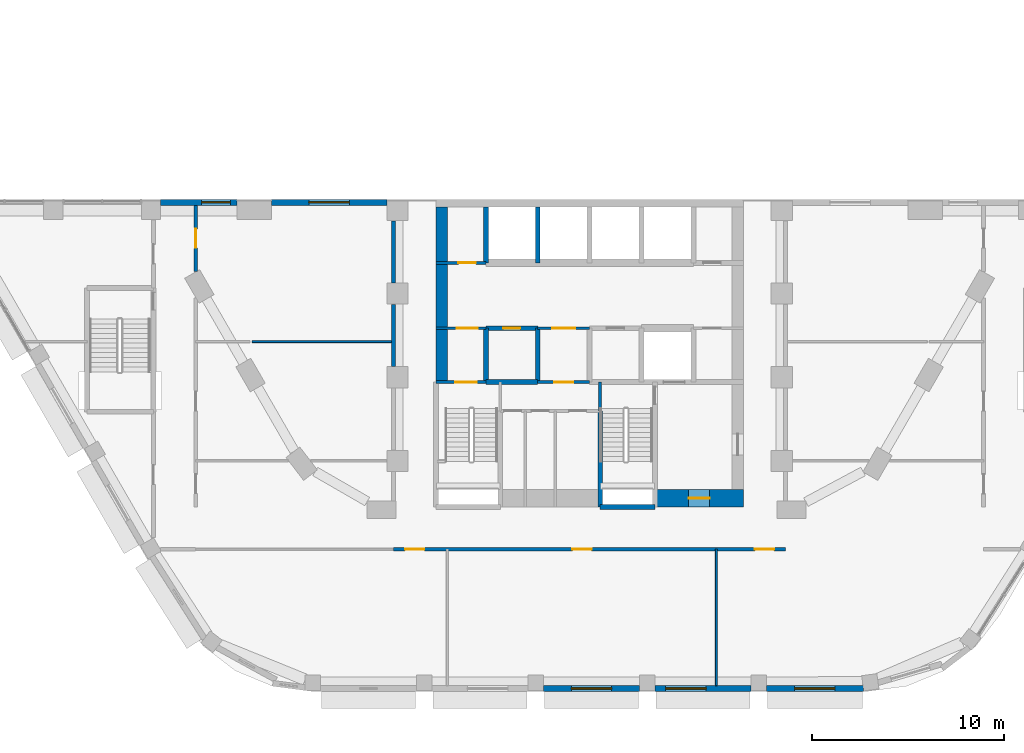
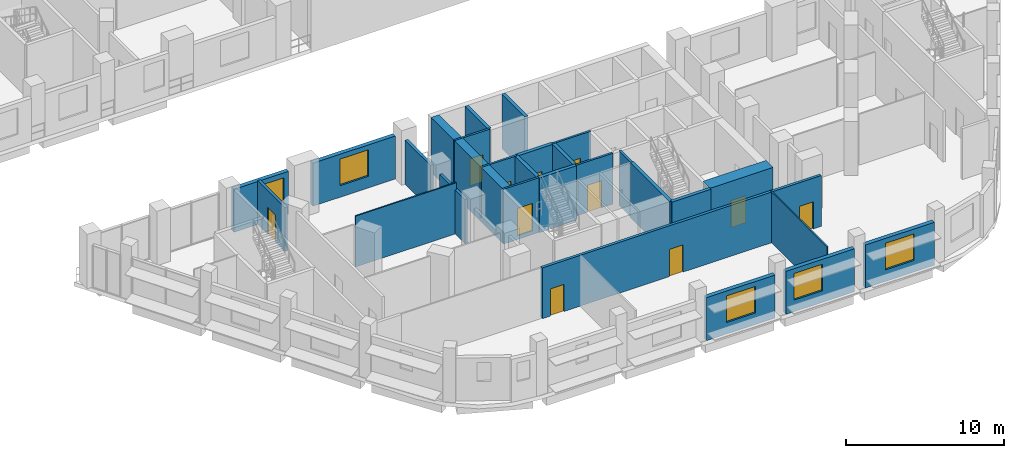
# One storey, part 11 of 22: 27 walls, 11 doors, 5 windows, 16 openings.
"""IFC4 building model written with IfcOpenShell, lengths in metres."""

from ifc_helpers import new_model, si_unit, direction, frame, frame_2d, origin, place, context, subcontext, project, spatial, rectangle, extrude, material, layer, layer_set, type_object, element, fill, save


model = new_model("IFC4")

# Units and contexts
model_context = context("Model", 3, precision=1e-05, world=origin(), true_north=direction((0.0, 1.0)))
body_context = subcontext(model_context, "Body", "Model", "MODEL_VIEW")
ifc_project = project(units=[si_unit("LENGTHUNIT", "METRE"), si_unit("AREAUNIT", "SQUARE_METRE"), si_unit("VOLUMEUNIT", "CUBIC_METRE"), si_unit("PLANEANGLEUNIT", "RADIAN"), si_unit("MASSUNIT", "GRAM", prefix="KILO")], contexts=[model_context])

# Site, building, storey
site_placement = place(None, origin())
site = spatial("IfcSite", under=ifc_project, at=site_placement, CompositionType="ELEMENT")
building_placement = place(site_placement, origin())
building = spatial("IfcBuilding", under=site, at=building_placement, Name="Nakaniwa Court", CompositionType="ELEMENT")
storey_placement = place(building_placement, frame((0.0, 0.0, 24.0)))
storey = spatial("IfcBuildingStorey", under=building, at=storey_placement, Name="L05", CompositionType="ELEMENT", Elevation=24.0)

# Wall, opening, door
ifc_material_1 = material(Name="Acoustic double stud partition")
ifc_layer_1 = layer(ifc_material_1, 0.199951171875)
ifc_layer_set_1 = layer_set([ifc_layer_1], Name="Acoustic double stud partition")
wall_type_1 = type_object("IfcWallType", Name="Acoustic double stud partition 200", PredefinedType="PARTITIONING", material=ifc_layer_set_1)
wall_1_placement = place(storey_placement, frame((59.5, 72.300048828125, 0.0), z_axis=(0.0, 0.0, 1.0), x_axis=(0.0, -1.0, 0.0)))
wall_1 = element("IfcWall", 1, at=wall_1_placement, inside=storey, type_object=wall_type_1, Name="Partition PW-097", PredefinedType="PARTITIONING", context=body_context, shape_type="SweptSolid", body=[
    extrude(rectangle(XDim=3.44921875, YDim=0.199951171875, at=frame_2d((1.724609375, 0.0))), origin(), (0.0, 0.0, 1.0), 3.405029296875),
])
opening_1_placement = place(wall_1_placement, frame((1.222900390625, 0.0, 0.0)))
opening_1 = element("IfcOpeningElement", 2, at=opening_1_placement, cuts=wall_1, Name="Opening D-02-16", PredefinedType="OPENING", context=body_context, shape_type="SweptSolid", body=[
    extrude(rectangle(XDim=1.0, YDim=2.10009765625, at=frame_2d((0.5, 1.050048828125))), frame((0.0, 0.10986328125, 0.0), z_axis=(0.0, -1.0, 0.0), x_axis=(1.0, 0.0, 0.0)), (0.0, 0.0, 1.0), 0.219970703125),
])
ifc_material_2 = material(Name="Solid core timber door set, black veneer", Category="wood")
door_type_1 = type_object("IfcDoorType", Name="Internal door 1000", OperationType="NOTDEFINED", PredefinedType="DOOR", material=ifc_material_2)
door_1_placement = place(opening_1_placement, origin())
door_1 = element("IfcDoor", 3, at=door_1_placement, inside=storey, type_object=door_type_1, Name="Door D-02-16 L05-047", OperationType="SINGLE_SWING_RIGHT", OverallHeight=2.10009765625, OverallWidth=1.0, PredefinedType="DOOR", context=body_context, shape_type="SweptSolid", body=[
    extrude(rectangle(XDim=1.0, YDim=2.10009765625, at=frame_2d((0.5, 1.050048828125))), frame((0.0, 0.02490234375, 0.0), z_axis=(0.0, -1.0, 0.0), x_axis=(1.0, 0.0, 0.0)), (0.0, 0.0, 1.0), 0.050048828125),
])
fill(opening_1, door_1)

# Walls
wall_2_placement = place(storey_placement, frame((69.800048828125, 63.9169921875, 0.0), z_axis=(0.0, 0.0, 1.0), x_axis=(0.0, 1.0, 0.0)))
element("IfcWall", 4, at=wall_2_placement, inside=storey, type_object=wall_type_1, Name="Partition PW-110", PredefinedType="PARTITIONING", context=body_context, shape_type="SweptSolid", body=[
    extrude(rectangle(XDim=3.216064453125, YDim=0.199951171875, at=frame_2d((1.60791015625, 0.0))), origin(), (0.0, 0.0, 1.0), 3.405029296875),
])
wall_3_placement = place(storey_placement, frame((69.800048828125, 68.26708984375, 0.0), z_axis=(0.0, 0.0, 1.0), x_axis=(0.0, 1.0, 0.0)))
element("IfcWall", 5, at=wall_3_placement, inside=storey, type_object=wall_type_1, Name="Partition PW-111", PredefinedType="PARTITIONING", context=body_context, shape_type="SweptSolid", body=[
    extrude(rectangle(XDim=3.2158203125, YDim=0.199951171875, at=frame_2d((1.60791015625, 0.0))), origin(), (0.0, 0.0, 1.0), 3.405029296875),
])

# Wall, openings, doors
wall_4_placement = place(storey_placement, frame((90.199951171875, 54.39990234375, 0.0), z_axis=(0.0, 0.0, 1.0), x_axis=(-1.0, 0.0, 0.0)))
wall_4 = element("IfcWall", 6, at=wall_4_placement, inside=storey, type_object=wall_type_1, Name="Partition PW-131", PredefinedType="PARTITIONING", context=body_context, shape_type="SweptSolid", body=[
    extrude(rectangle(XDim=20.39990234375, YDim=0.199951171875, at=frame_2d((10.199951171875, 0.0))), origin(), (0.0, 0.0, 1.0), 3.925048828125),
])
opening_2_placement = place(wall_4_placement, frame((18.800048828125, 0.0, 0.0)))
opening_2 = element("IfcOpeningElement", 7, at=opening_2_placement, cuts=wall_4, Name="Opening D-02-19", PredefinedType="OPENING", context=body_context, shape_type="SweptSolid", body=[
    extrude(rectangle(XDim=1.0, YDim=2.10009765625, at=frame_2d((0.5, 1.050048828125))), frame((0.0, 0.10986328125, 0.0), z_axis=(0.0, -1.0, 0.0), x_axis=(1.0, 0.0, 0.0)), (0.0, 0.0, 1.0), 0.219970703125),
])
opening_3_placement = place(wall_4_placement, frame((0.60009765625, 0.0, 0.0)))
opening_3 = element("IfcOpeningElement", 8, at=opening_3_placement, cuts=wall_4, Name="Opening D-02-20", PredefinedType="OPENING", context=body_context, shape_type="SweptSolid", body=[
    extrude(rectangle(XDim=1.0, YDim=2.10009765625, at=frame_2d((0.5, 1.050048828125))), frame((0.0, 0.10986328125, 0.0), z_axis=(0.0, -1.0, 0.0), x_axis=(1.0, 0.0, 0.0)), (0.0, 0.0, 1.0), 0.219970703125),
])
opening_4_placement = place(wall_4_placement, frame((10.10009765625, 0.0, 0.0)))
opening_4 = element("IfcOpeningElement", 9, at=opening_4_placement, cuts=wall_4, Name="Opening D-02-21", PredefinedType="OPENING", context=body_context, shape_type="SweptSolid", body=[
    extrude(rectangle(XDim=1.0, YDim=2.10009765625, at=frame_2d((0.5, 1.050048828125))), frame((0.0, 0.10986328125, 0.0), z_axis=(0.0, -1.0, 0.0), x_axis=(1.0, 0.0, 0.0)), (0.0, 0.0, 1.0), 0.219970703125),
])
door_2_placement = place(opening_2_placement, origin())
door_2 = element("IfcDoor", 10, at=door_2_placement, inside=storey, type_object=door_type_1, Name="Door D-02-19 L05-050", OperationType="SINGLE_SWING_LEFT", OverallHeight=2.10009765625, OverallWidth=1.0, PredefinedType="DOOR", context=body_context, shape_type="SweptSolid", body=[
    extrude(rectangle(XDim=1.0, YDim=2.10009765625, at=frame_2d((0.5, 1.050048828125))), frame((0.0, 0.02490234375, 0.0), z_axis=(0.0, -1.0, 0.0), x_axis=(1.0, 0.0, 0.0)), (0.0, 0.0, 1.0), 0.050048828125),
])
fill(opening_2, door_2)
door_3_placement = place(opening_3_placement, origin())
door_3 = element("IfcDoor", 11, at=door_3_placement, inside=storey, type_object=door_type_1, Name="Door D-02-20 L05-051", OperationType="SINGLE_SWING_RIGHT", OverallHeight=2.10009765625, OverallWidth=1.0, PredefinedType="DOOR", context=body_context, shape_type="SweptSolid", body=[
    extrude(rectangle(XDim=1.0, YDim=2.10009765625, at=frame_2d((0.5, 1.050048828125))), frame((0.0, 0.02490234375, 0.0), z_axis=(0.0, -1.0, 0.0), x_axis=(1.0, 0.0, 0.0)), (0.0, 0.0, 1.0), 0.050048828125),
])
fill(opening_3, door_3)
door_4_placement = place(opening_4_placement, origin())
door_4 = element("IfcDoor", 12, at=door_4_placement, inside=storey, type_object=door_type_1, Name="Door D-02-21 L05-052", OperationType="SINGLE_SWING_LEFT", OverallHeight=2.10009765625, OverallWidth=1.0, PredefinedType="DOOR", context=body_context, shape_type="SweptSolid", body=[
    extrude(rectangle(XDim=1.0, YDim=2.10009765625, at=frame_2d((0.5, 1.050048828125))), frame((0.0, 0.02490234375, 0.0), z_axis=(0.0, -1.0, 0.0), x_axis=(1.0, 0.0, 0.0)), (0.0, 0.0, 1.0), 0.050048828125),
])
fill(opening_4, door_4)

# Wall, opening, window
ifc_material_3 = material(Name="Charcoal ceramic cladding")
ifc_layer_2 = layer(ifc_material_3, 0.02, Name="Ceramic cladding")
ifc_material_4 = material(Name="Ventilated air cavity")
ifc_layer_3 = layer(ifc_material_4, 0.04, ventilated=True, Name="Ventilated cavity")
ifc_material_5 = material(Name="Mineral wool insulation")
ifc_layer_4 = layer(ifc_material_5, 0.1, Name="Insulation")
ifc_material_6 = material(Name="Cement bonded sheathing board")
ifc_layer_5 = layer(ifc_material_6, 0.012, Name="Sheathing")
ifc_material_7 = material(Name="Cold-formed galvanised stud frame with mineral wool infill")
ifc_layer_6 = layer(ifc_material_7, 0.1, Name="Stud frame")
ifc_material_8 = material(Name="Fire-rated gypsum plasterboard lining")
ifc_layer_7 = layer(ifc_material_8, 0.028, Name="Lining")
ifc_layer_set_2 = layer_set([ifc_layer_2, ifc_layer_3, ifc_layer_4, ifc_layer_5, ifc_layer_6, ifc_layer_7], Name="Charcoal ceramic faced external wall system")
wall_type_2 = type_object("IfcWallType", Name="Black ceramic faced external wall 300", PredefinedType="SOLIDWALL", material=ifc_layer_set_2)
wall_5_placement = place(storey_placement, frame((69.4541015625, 72.449951171875, 0.0), z_axis=(0.0, 0.0, 1.0), x_axis=(-1.0, 0.0, 0.0)))
wall_5 = element("IfcWall", 13, at=wall_5_placement, inside=storey, type_object=wall_type_2, Name="L05 external wall 08", PredefinedType="SOLIDWALL", context=body_context, shape_type="SweptSolid", body=[
    extrude(rectangle(XDim=6.01611328125, YDim=0.300048828125, at=frame_2d((3.008056640625, 0.0))), origin(), (0.0, 0.0, 1.0), 3.324951171875),
])
opening_5_placement = place(wall_5_placement, frame((1.9580078125, 0.0, 0.89990234375)))
opening_5 = element("IfcOpeningElement", 14, at=opening_5_placement, cuts=wall_5, Name="Opening W2.05", PredefinedType="OPENING", context=body_context, shape_type="SweptSolid", body=[
    extrude(rectangle(XDim=2.10009765625, YDim=2.050048828125, at=frame_2d((1.050048828125, 1.02490234375))), frame((0.0, 0.159912109375, 0.0), z_axis=(0.0, -1.0, 0.0), x_axis=(1.0, 0.0, 0.0)), (0.0, 0.0, 1.0), 0.320068359375),
])
ifc_material_9 = material(Name="Black anodised aluminium frame with dark low-E laminated double glazing", Category="aluminium")
window_type_1 = type_object("IfcWindowType", Name="Dark glass window 2100x2050 sill 900", PartitioningType="SINGLE_PANEL", PredefinedType="WINDOW", material=ifc_material_9)
window_1_placement = place(opening_5_placement, origin())
window_1 = element("IfcWindow", 15, at=window_1_placement, inside=storey, type_object=window_type_1, Name="L05 habitable room window 08-0", OverallHeight=2.050048828125, OverallWidth=2.10009765625, PartitioningType="SINGLE_PANEL", PredefinedType="WINDOW", context=body_context, shape_type="SweptSolid", body=[
    extrude(rectangle(XDim=2.10009765625, YDim=2.050048828125, at=frame_2d((1.050048828125, 1.02490234375))), frame((0.0, 0.030029296875, 0.0), z_axis=(0.0, -1.0, 0.0), x_axis=(1.0, 0.0, 0.0)), (0.0, 0.0, 1.0), 0.06005859375),
])
fill(opening_5, window_1)

wall_6_placement = place(storey_placement, frame((61.64599609375, 72.449951171875, 0.0), z_axis=(0.0, 0.0, 1.0), x_axis=(-1.0, 0.0, 0.0)))
wall_6 = element("IfcWall", 16, at=wall_6_placement, inside=storey, type_object=wall_type_2, Name="L05 external wall 09", PredefinedType="SOLIDWALL", context=body_context, shape_type="SweptSolid", body=[
    extrude(rectangle(XDim=3.972900390625, YDim=0.300048828125, at=frame_2d((1.986328125, 0.0))), origin(), (0.0, 0.0, 1.0), 3.324951171875),
])
opening_6_placement = place(wall_6_placement, frame((0.3349609375, 0.0, 0.89990234375)))
opening_6 = element("IfcOpeningElement", 17, at=opening_6_placement, cuts=wall_6, Name="Opening W4.06", PredefinedType="OPENING", context=body_context, shape_type="SweptSolid", body=[
    extrude(rectangle(XDim=1.5, YDim=2.050048828125, at=frame_2d((0.75, 1.02490234375))), frame((0.0, 0.159912109375, 0.0), z_axis=(0.0, -1.0, 0.0), x_axis=(1.0, 0.0, 0.0)), (0.0, 0.0, 1.0), 0.320068359375),
])
window_type_2 = type_object("IfcWindowType", Name="Dark glass window 1500x2050 sill 900", PartitioningType="SINGLE_PANEL", PredefinedType="WINDOW", material=ifc_material_9)
window_2_placement = place(opening_6_placement, origin())
window_2 = element("IfcWindow", 18, at=window_2_placement, inside=storey, type_object=window_type_2, Name="L05 habitable room window 09-0", OverallHeight=2.050048828125, OverallWidth=1.5, PartitioningType="SINGLE_PANEL", PredefinedType="WINDOW", context=body_context, shape_type="SweptSolid", body=[
    extrude(rectangle(XDim=1.5, YDim=2.050048828125, at=frame_2d((0.75, 1.02490234375))), frame((0.0, 0.030029296875, 0.0), z_axis=(0.0, -1.0, 0.0), x_axis=(1.0, 0.0, 0.0)), (0.0, 0.0, 1.0), 0.06005859375),
])
fill(opening_6, window_2)

wall_7_placement = place(storey_placement, frame((77.59619140625, 47.14990234375, 0.0), z_axis=(0.0, 0.0, 1.0), x_axis=(1.0, 0.0, 0.0)))
wall_7 = element("IfcWall", 19, at=wall_7_placement, inside=storey, type_object=wall_type_2, Name="L05 external wall 21", PredefinedType="SOLIDWALL", context=body_context, shape_type="SweptSolid", body=[
    extrude(rectangle(XDim=5.01025390625, YDim=0.300048828125, at=frame_2d((2.505126953125, 0.0))), origin(), (0.0, 0.0, 1.0), 3.324951171875),
])
opening_7_placement = place(wall_7_placement, frame((1.455078125, 0.0, 0.89990234375)))
opening_7 = element("IfcOpeningElement", 20, at=opening_7_placement, cuts=wall_7, Name="Opening W2.14", PredefinedType="OPENING", context=body_context, shape_type="SweptSolid", body=[
    extrude(rectangle(XDim=2.10009765625, YDim=2.050048828125, at=frame_2d((1.050048828125, 1.02490234375))), frame((0.0, 0.159912109375, 0.0), z_axis=(0.0, -1.0, 0.0), x_axis=(1.0, 0.0, 0.0)), (0.0, 0.0, 1.0), 0.320068359375),
])
window_3_placement = place(opening_7_placement, origin())
window_3 = element("IfcWindow", 21, at=window_3_placement, inside=storey, type_object=window_type_1, Name="L05 habitable room window 21-0", OverallHeight=2.050048828125, OverallWidth=2.10009765625, PartitioningType="SINGLE_PANEL", PredefinedType="WINDOW", context=body_context, shape_type="SweptSolid", body=[
    extrude(rectangle(XDim=2.10009765625, YDim=2.050048828125, at=frame_2d((1.050048828125, 1.02490234375))), frame((0.0, 0.030029296875, 0.0), z_axis=(0.0, -1.0, 0.0), x_axis=(1.0, 0.0, 0.0)), (0.0, 0.0, 1.0), 0.06005859375),
])
fill(opening_7, window_3)

wall_8_placement = place(storey_placement, frame((83.3984375, 47.14990234375, 0.0), z_axis=(0.0, 0.0, 1.0), x_axis=(1.0, 0.0, 0.0)))
wall_8 = element("IfcWall", 22, at=wall_8_placement, inside=storey, type_object=wall_type_2, Name="L05 external wall 22", PredefinedType="SOLIDWALL", context=body_context, shape_type="SweptSolid", body=[
    extrude(rectangle(XDim=5.01025390625, YDim=0.300048828125, at=frame_2d((2.505126953125, 0.0))), origin(), (0.0, 0.0, 1.0), 3.324951171875),
])
opening_8_placement = place(wall_8_placement, frame((0.562744140625, 0.0, 0.89990234375)))
opening_8 = element("IfcOpeningElement", 23, at=opening_8_placement, cuts=wall_8, Name="Opening W2.15", PredefinedType="OPENING", context=body_context, shape_type="SweptSolid", body=[
    extrude(rectangle(XDim=2.10009765625, YDim=2.050048828125, at=frame_2d((1.050048828125, 1.02490234375))), frame((0.0, 0.159912109375, 0.0), z_axis=(0.0, -1.0, 0.0), x_axis=(1.0, 0.0, 0.0)), (0.0, 0.0, 1.0), 0.320068359375),
])
window_4_placement = place(opening_8_placement, origin())
window_4 = element("IfcWindow", 24, at=window_4_placement, inside=storey, type_object=window_type_1, Name="L05 habitable room window 22-0", OverallHeight=2.050048828125, OverallWidth=2.10009765625, PartitioningType="SINGLE_PANEL", PredefinedType="WINDOW", context=body_context, shape_type="SweptSolid", body=[
    extrude(rectangle(XDim=2.10009765625, YDim=2.050048828125, at=frame_2d((1.050048828125, 1.02490234375))), frame((0.0, 0.030029296875, 0.0), z_axis=(0.0, -1.0, 0.0), x_axis=(1.0, 0.0, 0.0)), (0.0, 0.0, 1.0), 0.06005859375),
])
fill(opening_8, window_4)

wall_9_placement = place(storey_placement, frame((89.20068359375, 47.14990234375, 0.0), z_axis=(0.0, 0.0, 1.0), x_axis=(1.0, 0.0, 0.0)))
wall_9 = element("IfcWall", 25, at=wall_9_placement, inside=storey, type_object=wall_type_2, Name="L05 external wall 23", PredefinedType="SOLIDWALL", context=body_context, shape_type="SweptSolid", body=[
    extrude(rectangle(XDim=5.048095703125, YDim=0.300048828125, at=frame_2d((2.52392578125, 0.0))), origin(), (0.0, 0.0, 1.0), 3.324951171875),
])
opening_9_placement = place(wall_9_placement, frame((1.462646484375, 0.0, 0.89990234375)))
opening_9 = element("IfcOpeningElement", 26, at=opening_9_placement, cuts=wall_9, Name="Opening W2.16", PredefinedType="OPENING", context=body_context, shape_type="SweptSolid", body=[
    extrude(rectangle(XDim=2.10009765625, YDim=2.050048828125, at=frame_2d((1.050048828125, 1.02490234375))), frame((0.0, 0.159912109375, 0.0), z_axis=(0.0, -1.0, 0.0), x_axis=(1.0, 0.0, 0.0)), (0.0, 0.0, 1.0), 0.320068359375),
])
window_5_placement = place(opening_9_placement, origin())
window_5 = element("IfcWindow", 27, at=window_5_placement, inside=storey, type_object=window_type_1, Name="L05 habitable room window 23-0", OverallHeight=2.050048828125, OverallWidth=2.10009765625, PartitioningType="SINGLE_PANEL", PredefinedType="WINDOW", context=body_context, shape_type="SweptSolid", body=[
    extrude(rectangle(XDim=2.10009765625, YDim=2.050048828125, at=frame_2d((1.050048828125, 1.02490234375))), frame((0.0, 0.030029296875, 0.0), z_axis=(0.0, -1.0, 0.0), x_axis=(1.0, 0.0, 0.0)), (0.0, 0.0, 1.0), 0.06005859375),
])
fill(opening_9, window_5)

# Wall, opening, door
ifc_material_10 = material(Name="Blockwork partition", Category="masonry")
ifc_layer_8 = layer(ifc_material_10, 0.14990234375)
ifc_layer_set_3 = layer_set([ifc_layer_8], Name="Blockwork partition")
wall_type_3 = type_object("IfcWallType", Name="Blockwork partition 150", PredefinedType="PARTITIONING", material=ifc_layer_set_3)
wall_10_placement = place(storey_placement, frame((72.0, 69.300048828125, 0.0), z_axis=(0.0, 0.0, 1.0), x_axis=(1.0, 0.0, 0.0)))
wall_10 = element("IfcWall", 28, at=wall_10_placement, inside=storey, type_object=wall_type_3, Name="Partition PW-041", PredefinedType="PARTITIONING", context=body_context, shape_type="SweptSolid", body=[
    extrude(rectangle(XDim=2.60009765625, YDim=0.14990234375, at=frame_2d((1.300048828125, 0.0))), origin(), (0.0, 0.0, 1.0), 3.925048828125),
])
opening_10_placement = place(wall_10_placement, frame((1.175048828125, 0.0, 0.0)))
opening_10 = element("IfcOpeningElement", 29, at=opening_10_placement, cuts=wall_10, Name="Opening D-05-09", PredefinedType="OPENING", context=body_context, shape_type="SweptSolid", body=[
    extrude(rectangle(XDim=0.89990234375, YDim=2.10009765625, at=frame_2d((0.449951171875, 1.050048828125))), frame((0.0, 0.0849609375, 0.0), z_axis=(0.0, -1.0, 0.0), x_axis=(1.0, 0.0, 0.0)), (0.0, 0.0, 1.0), 0.169921875),
])
ifc_material_11 = material(Name="Fire rated steel door set", Category="steel")
door_type_2 = type_object("IfcDoorType", Name="Service room door 900", OperationType="NOTDEFINED", PredefinedType="DOOR", material=ifc_material_11)
door_5_placement = place(opening_10_placement, origin())
door_5 = element("IfcDoor", 30, at=door_5_placement, inside=storey, type_object=door_type_2, Name="Door D-05-09 L05-014", OperationType="SINGLE_SWING_LEFT", OverallHeight=2.10009765625, OverallWidth=0.89990234375, PredefinedType="DOOR", context=body_context, shape_type="SweptSolid", body=[
    extrude(rectangle(XDim=0.89990234375, YDim=2.10009765625, at=frame_2d((0.449951171875, 1.050048828125))), frame((0.0, 0.02490234375, 0.0), z_axis=(0.0, -1.0, 0.0), x_axis=(1.0, 0.0, 0.0)), (0.0, 0.0, 1.0), 0.050048828125),
])
fill(opening_10, door_5)

wall_11_placement = place(storey_placement, frame((74.60302734375, 65.89990234375, 0.0), z_axis=(0.0, 0.0, 1.0), x_axis=(-1.0, 0.0, 0.0)))
wall_11 = element("IfcWall", 31, at=wall_11_placement, inside=storey, type_object=wall_type_3, Name="Partition PW-054", PredefinedType="PARTITIONING", context=body_context, shape_type="SweptSolid", body=[
    extrude(rectangle(XDim=2.60302734375, YDim=0.14990234375, at=frame_2d((1.301513671875, 0.0))), origin(), (0.0, 0.0, 1.0), 3.925048828125),
])
opening_11_placement = place(wall_11_placement, frame((0.427978515625, 0.0, 0.0)))
opening_11 = element("IfcOpeningElement", 32, at=opening_11_placement, cuts=wall_11, Name="Opening D-08-02", PredefinedType="OPENING", context=body_context, shape_type="SweptSolid", body=[
    extrude(rectangle(XDim=1.10009765625, YDim=2.10009765625, at=frame_2d((0.550048828125, 1.050048828125))), frame((0.0, 0.0849609375, 0.0), z_axis=(0.0, -1.0, 0.0), x_axis=(1.0, 0.0, 0.0)), (0.0, 0.0, 1.0), 0.169921875),
])
door_type_3 = type_object("IfcDoorType", Name="Stair lobby door 1100", OperationType="NOTDEFINED", PredefinedType="DOOR", material=ifc_material_11)
door_6_placement = place(opening_11_placement, origin())
door_6 = element("IfcDoor", 33, at=door_6_placement, inside=storey, type_object=door_type_3, Name="Door D-08-02 L05-016", OperationType="SINGLE_SWING_LEFT", OverallHeight=2.10009765625, OverallWidth=1.10009765625, PredefinedType="DOOR", context=body_context, shape_type="SweptSolid", body=[
    extrude(rectangle(XDim=1.10009765625, YDim=2.10009765625, at=frame_2d((0.550048828125, 1.050048828125))), frame((0.0, 0.02490234375, 0.0), z_axis=(0.0, -1.0, 0.0), x_axis=(1.0, 0.0, 0.0)), (0.0, 0.0, 1.0), 0.050048828125),
])
fill(opening_11, door_6)

wall_12_placement = place(storey_placement, frame((80.0029296875, 65.89990234375, 0.0), z_axis=(0.0, 0.0, 1.0), x_axis=(-1.0, 0.0, 0.0)))
wall_12 = element("IfcWall", 34, at=wall_12_placement, inside=storey, type_object=wall_type_3, Name="Partition PW-055", PredefinedType="PARTITIONING", context=body_context, shape_type="SweptSolid", body=[
    extrude(rectangle(XDim=2.705810546875, YDim=0.14990234375, at=frame_2d((1.35302734375, 0.0))), origin(), (0.0, 0.0, 1.0), 3.925048828125),
])
opening_12_placement = place(wall_12_placement, frame((0.7529296875, 0.0, 0.0)))
opening_12 = element("IfcOpeningElement", 35, at=opening_12_placement, cuts=wall_12, Name="Opening D-06-02", PredefinedType="OPENING", context=body_context, shape_type="SweptSolid", body=[
    extrude(rectangle(XDim=1.199951171875, YDim=2.10009765625, at=frame_2d((0.60009765625, 1.050048828125))), frame((0.0, 0.0849609375, 0.0), z_axis=(0.0, -1.0, 0.0), x_axis=(1.0, 0.0, 0.0)), (0.0, 0.0, 1.0), 0.169921875),
])
ifc_material_12 = material(Name="Fire rated steel double door set", Category="steel")
door_type_4 = type_object("IfcDoorType", Name="Service passage double door 1200", OperationType="NOTDEFINED", PredefinedType="DOOR", material=ifc_material_12)
door_7_placement = place(opening_12_placement, origin())
door_7 = element("IfcDoor", 36, at=door_7_placement, inside=storey, type_object=door_type_4, Name="Door D-06-02 L05-018", OperationType="DOUBLE_DOOR_SINGLE_SWING", OverallHeight=2.10009765625, OverallWidth=1.199951171875, PredefinedType="DOOR", context=body_context, shape_type="SweptSolid", body=[
    extrude(rectangle(XDim=1.199951171875, YDim=2.10009765625, at=frame_2d((0.60009765625, 1.050048828125))), frame((0.0, 0.02490234375, 0.0), z_axis=(0.0, -1.0, 0.0), x_axis=(1.0, 0.0, 0.0)), (0.0, 0.0, 1.0), 0.050048828125),
])
fill(opening_12, door_7)

wall_13_placement = place(storey_placement, frame((80.0, 63.10009765625, 0.0), z_axis=(0.0, 0.0, 1.0), x_axis=(-1.0, 0.0, 0.0)))
wall_13 = element("IfcWall", 37, at=wall_13_placement, inside=storey, type_object=wall_type_3, Name="Partition PW-063", PredefinedType="PARTITIONING", context=body_context, shape_type="SweptSolid", body=[
    extrude(rectangle(XDim=2.699951171875, YDim=0.14990234375, at=frame_2d((1.35009765625, 0.0))), origin(), (0.0, 0.0, 1.0), 3.925048828125),
])
opening_13_placement = place(wall_13_placement, frame((0.85009765625, 0.0, 0.0)))
opening_13 = element("IfcOpeningElement", 38, at=opening_13_placement, cuts=wall_13, Name="Opening D-23-02", PredefinedType="OPENING", context=body_context, shape_type="SweptSolid", body=[
    extrude(rectangle(XDim=1.0, YDim=2.10009765625, at=frame_2d((0.5, 1.050048828125))), frame((0.0, 0.0849609375, 0.0), z_axis=(0.0, -1.0, 0.0), x_axis=(1.0, 0.0, 0.0)), (0.0, 0.0, 1.0), 0.169921875),
])
door_type_5 = type_object("IfcDoorType", Name="Service room door 1000", OperationType="NOTDEFINED", PredefinedType="DOOR", material=ifc_material_11)
door_8_placement = place(opening_13_placement, origin())
door_8 = element("IfcDoor", 39, at=door_8_placement, inside=storey, type_object=door_type_5, Name="Door D-23-02 L05-021", OperationType="SINGLE_SWING_RIGHT", OverallHeight=2.10009765625, OverallWidth=1.0, PredefinedType="DOOR", context=body_context, shape_type="SweptSolid", body=[
    extrude(rectangle(XDim=1.0, YDim=2.10009765625, at=frame_2d((0.5, 1.050048828125))), frame((0.0, 0.02490234375, 0.0), z_axis=(0.0, -1.0, 0.0), x_axis=(1.0, 0.0, 0.0)), (0.0, 0.0, 1.0), 0.050048828125),
])
fill(opening_13, door_8)

# Wall
ifc_material_13 = material(Name="Concrete C100/115", Category="concrete")
ifc_layer_9 = layer(ifc_material_13, 0.60009765625)
ifc_layer_set_4 = layer_set([ifc_layer_9], Name="Concrete C100/115")
wall_type_4 = type_object("IfcWallType", Name="Concrete core side wall 600 C100", PredefinedType="SHEAR", material=ifc_layer_set_4)
wall_14_placement = place(storey_placement, frame((72.300048828125, 63.10009765625, -0.300048828125), z_axis=(0.0, 0.0, 1.0), x_axis=(0.0, 1.0, 0.0)))
element("IfcWall", 40, at=wall_14_placement, inside=storey, type_object=wall_type_4, Name="Core wall SW-42", PredefinedType="SHEAR", context=body_context, shape_type="SweptSolid", body=[
    extrude(rectangle(XDim=9.099853515625, YDim=0.60009765625, at=frame_2d((4.5498046875, 0.0))), origin(), (0.0, 0.0, 1.0), 4.22509765625),
])

# Wall, opening, door
ifc_layer_10 = layer(ifc_material_13, 0.14990234375)
ifc_layer_set_5 = layer_set([ifc_layer_10], Name="Concrete C100/115")
wall_type_5 = type_object("IfcWallType", Name="Concrete core wall 150 C100", PredefinedType="SHEAR", material=ifc_layer_set_5)
wall_15_placement = place(storey_placement, frame((72.0, 63.10009765625, -0.300048828125), z_axis=(0.0, 0.0, 1.0), x_axis=(1.0, 0.0, 0.0)))
wall_15 = element("IfcWall", 41, at=wall_15_placement, inside=storey, type_object=wall_type_5, Name="Core wall SW-60", PredefinedType="SHEAR", context=body_context, shape_type="SweptSolid", body=[
    extrude(rectangle(XDim=2.60009765625, YDim=0.14990234375, at=frame_2d((1.300048828125, 0.0))), origin(), (0.0, 0.0, 1.0), 4.22509765625),
])
opening_14_placement = place(wall_15_placement, frame((1.02001953125, 0.0, 0.300048828125)))
opening_14 = element("IfcOpeningElement", 42, at=opening_14_placement, cuts=wall_15, Name="Opening D-09-02", PredefinedType="OPENING", context=body_context, shape_type="SweptSolid", body=[
    extrude(rectangle(XDim=1.10009765625, YDim=2.10009765625, at=frame_2d((0.550048828125, 1.050048828125))), frame((0.0, 0.0849609375, 0.0), z_axis=(0.0, -1.0, 0.0), x_axis=(1.0, 0.0, 0.0)), (0.0, 0.0, 1.0), 0.169921875),
])
door_type_6 = type_object("IfcDoorType", Name="Stair door 1100", OperationType="NOTDEFINED", PredefinedType="DOOR", material=ifc_material_11)
door_9_placement = place(opening_14_placement, origin())
door_9 = element("IfcDoor", 43, at=door_9_placement, inside=storey, type_object=door_type_6, Name="Door D-09-02 L05-025", OperationType="SINGLE_SWING_LEFT", OverallHeight=2.10009765625, OverallWidth=1.10009765625, PredefinedType="DOOR", context=body_context, shape_type="SweptSolid", body=[
    extrude(rectangle(XDim=1.10009765625, YDim=2.10009765625, at=frame_2d((0.550048828125, 1.050048828125))), frame((0.0, 0.02490234375, 0.0), z_axis=(0.0, -1.0, 0.0), x_axis=(1.0, 0.0, 0.0)), (0.0, 0.0, 1.0), 0.050048828125),
])
fill(opening_14, door_9)

# Walls
wall_16_placement = place(storey_placement, frame((80.550048828125, 61.596923828125, -0.300048828125), z_axis=(0.0, 0.0, 1.0), x_axis=(0.0, 1.0, 0.0)))
element("IfcWall", 44, at=wall_16_placement, inside=storey, type_object=wall_type_5, Name="Core wall SW-70", PredefinedType="SHEAR", context=body_context, shape_type="SweptSolid", body=[
    extrude(rectangle(XDim=1.503173828125, YDim=0.14990234375, at=frame_2d((0.75146484375, 0.0))), origin(), (0.0, 0.0, 1.0), 4.22509765625),
])
ifc_layer_11 = layer(ifc_material_13, 0.25)
ifc_layer_set_6 = layer_set([ifc_layer_11], Name="Concrete C100/115")
wall_type_6 = type_object("IfcWallType", Name="Concrete core wall 250 C100", PredefinedType="SHEAR", material=ifc_layer_set_6)
wall_17_placement = place(storey_placement, frame((80.550048828125, 56.60009765625, -0.300048828125), z_axis=(0.0, 0.0, 1.0), x_axis=(1.0, 0.0, 0.0)))
element("IfcWall", 45, at=wall_17_placement, inside=storey, type_object=wall_type_6, Name="Core wall SW-68", PredefinedType="SHEAR", context=body_context, shape_type="SweptSolid", body=[
    extrude(rectangle(XDim=2.849853515625, YDim=0.25, at=frame_2d((1.4248046875, 0.0))), origin(), (0.0, 0.0, 1.0), 4.22509765625),
])

# Wall, opening, door
ifc_layer_12 = layer(ifc_material_13, 0.89990234375)
ifc_layer_set_7 = layer_set([ifc_layer_12], Name="Concrete C100/115")
wall_type_7 = type_object("IfcWallType", Name="Concrete core wall 900 C100", PredefinedType="SHEAR", material=ifc_layer_set_7)
wall_18_placement = place(storey_placement, frame((88.0, 57.050048828125, -0.300048828125), z_axis=(0.0, 0.0, 1.0), x_axis=(-1.0, 0.0, 0.0)))
wall_18 = element("IfcWall", 46, at=wall_18_placement, inside=storey, type_object=wall_type_7, Name="Core wall SW-73", PredefinedType="SHEAR", context=body_context, shape_type="SweptSolid", body=[
    extrude(rectangle(XDim=4.60009765625, YDim=0.89990234375, at=frame_2d((2.300048828125, 0.0))), origin(), (0.0, 0.0, 1.0), 4.22509765625),
])
opening_15_placement = place(wall_18_placement, frame((1.751953125, 0.0, 0.300048828125)))
opening_15 = element("IfcOpeningElement", 47, at=opening_15_placement, cuts=wall_18, Name="Opening D-10-04", PredefinedType="OPENING", context=body_context, shape_type="SweptSolid", body=[
    extrude(rectangle(XDim=1.10009765625, YDim=2.10009765625, at=frame_2d((0.550048828125, 1.050048828125))), frame((0.0, 0.4599609375, 0.0), z_axis=(0.0, -1.0, 0.0), x_axis=(1.0, 0.0, 0.0)), (0.0, 0.0, 1.0), 0.919921875),
])
door_type_7 = type_object("IfcDoorType", Name="Firefighting lobby door 1100", OperationType="NOTDEFINED", PredefinedType="DOOR", material=ifc_material_11)
door_10_placement = place(opening_15_placement, origin())
door_10 = element("IfcDoor", 48, at=door_10_placement, inside=storey, type_object=door_type_7, Name="Door D-10-04 L05-056", OperationType="SINGLE_SWING_LEFT", OverallHeight=2.10009765625, OverallWidth=1.10009765625, PredefinedType="DOOR", context=body_context, shape_type="SweptSolid", body=[
    extrude(rectangle(XDim=1.10009765625, YDim=2.10009765625, at=frame_2d((0.550048828125, 1.050048828125))), frame((0.0, 0.02490234375, 0.0), z_axis=(0.0, -1.0, 0.0), x_axis=(1.0, 0.0, 0.0)), (0.0, 0.0, 1.0), 0.050048828125),
])
fill(opening_15, door_10)

# Walls
ifc_layer_13 = layer(ifc_material_13, 0.25)
ifc_layer_set_8 = layer_set([ifc_layer_13], Name="Concrete C100/115")
wall_type_8 = type_object("IfcWallType", Name="Concrete shaft wall 250 C100", PredefinedType="SHEAR", material=ifc_layer_set_8)
wall_19_placement = place(storey_placement, frame((74.60009765625, 63.10009765625, -0.300048828125), z_axis=(0.0, 0.0, 1.0), x_axis=(0.0, 1.0, 0.0)))
element("IfcWall", 49, at=wall_19_placement, inside=storey, type_object=wall_type_8, Name="Core wall SW-39", PredefinedType="SHEAR", context=body_context, shape_type="SweptSolid", body=[
    extrude(rectangle(XDim=2.7998046875, YDim=0.25, at=frame_2d((1.39990234375, 0.0))), origin(), (0.0, 0.0, 1.0), 4.22509765625),
])
wall_20_placement = place(storey_placement, frame((74.60009765625, 69.300048828125, -0.300048828125), z_axis=(0.0, 0.0, 1.0), x_axis=(0.0, 1.0, 0.0)))
element("IfcWall", 50, at=wall_20_placement, inside=storey, type_object=wall_type_8, Name="Core wall SW-40", PredefinedType="SHEAR", context=body_context, shape_type="SweptSolid", body=[
    extrude(rectangle(XDim=2.89990234375, YDim=0.25, at=frame_2d((1.449951171875, 0.0))), origin(), (0.0, 0.0, 1.0), 4.22509765625),
])
wall_21_placement = place(storey_placement, frame((77.300048828125, 63.10009765625, -0.300048828125), z_axis=(0.0, 0.0, 1.0), x_axis=(0.0, 1.0, 0.0)))
element("IfcWall", 51, at=wall_21_placement, inside=storey, type_object=wall_type_8, Name="Core wall SW-43", PredefinedType="SHEAR", context=body_context, shape_type="SweptSolid", body=[
    extrude(rectangle(XDim=2.7998046875, YDim=0.25, at=frame_2d((1.39990234375, 0.0))), origin(), (0.0, 0.0, 1.0), 4.22509765625),
])
wall_22_placement = place(storey_placement, frame((77.300048828125, 69.300048828125, -0.300048828125), z_axis=(0.0, 0.0, 1.0), x_axis=(0.0, 1.0, 0.0)))
element("IfcWall", 52, at=wall_22_placement, inside=storey, type_object=wall_type_8, Name="Core wall SW-44", PredefinedType="SHEAR", context=body_context, shape_type="SweptSolid", body=[
    extrude(rectangle(XDim=2.89990234375, YDim=0.25, at=frame_2d((1.449951171875, 0.0))), origin(), (0.0, 0.0, 1.0), 4.22509765625),
])

# Wall, opening, door
wall_23_placement = place(storey_placement, frame((77.302978515625, 65.89990234375, -0.300048828125), z_axis=(0.0, 0.0, 1.0), x_axis=(-1.0, 0.0, 0.0)))
wall_23 = element("IfcWall", 53, at=wall_23_placement, inside=storey, type_object=wall_type_8, Name="Core wall SW-57", PredefinedType="SHEAR", context=body_context, shape_type="SweptSolid", body=[
    extrude(rectangle(XDim=2.7060546875, YDim=0.25, at=frame_2d((1.35302734375, 0.0))), origin(), (0.0, 0.0, 1.0), 4.22509765625),
])
opening_16_placement = place(wall_23_placement, frame((0.903076171875, 0.0, 0.300048828125)))
opening_16 = element("IfcOpeningElement", 54, at=opening_16_placement, cuts=wall_23, Name="Opening D-05-11", PredefinedType="OPENING", context=body_context, shape_type="SweptSolid", body=[
    extrude(rectangle(XDim=0.89990234375, YDim=2.10009765625, at=frame_2d((0.449951171875, 1.050048828125))), frame((0.0, 0.135009765625, 0.0), z_axis=(0.0, -1.0, 0.0), x_axis=(1.0, 0.0, 0.0)), (0.0, 0.0, 1.0), 0.27001953125),
])
door_11_placement = place(opening_16_placement, origin())
door_11 = element("IfcDoor", 55, at=door_11_placement, inside=storey, type_object=door_type_2, Name="Door D-05-11 L05-017", OperationType="SINGLE_SWING_RIGHT", OverallHeight=2.10009765625, OverallWidth=0.89990234375, PredefinedType="DOOR", context=body_context, shape_type="SweptSolid", body=[
    extrude(rectangle(XDim=0.89990234375, YDim=2.10009765625, at=frame_2d((0.449951171875, 1.050048828125))), frame((0.0, 0.02490234375, 0.0), z_axis=(0.0, -1.0, 0.0), x_axis=(1.0, 0.0, 0.0)), (0.0, 0.0, 1.0), 0.050048828125),
])
fill(opening_16, door_11)

# Walls
wall_24_placement = place(storey_placement, frame((74.60009765625, 63.10009765625, -0.300048828125), z_axis=(0.0, 0.0, 1.0), x_axis=(1.0, 0.0, 0.0)))
element("IfcWall", 56, at=wall_24_placement, inside=storey, type_object=wall_type_8, Name="Core wall SW-61", PredefinedType="SHEAR", context=body_context, shape_type="SweptSolid", body=[
    extrude(rectangle(XDim=2.699951171875, YDim=0.25, at=frame_2d((1.35009765625, 0.0))), origin(), (0.0, 0.0, 1.0), 4.22509765625),
])
wall_25_placement = place(storey_placement, frame((80.550048828125, 56.60009765625, -0.300048828125), z_axis=(0.0, 0.0, 1.0), x_axis=(0.0, 1.0, 0.0)))
element("IfcWall", 57, at=wall_25_placement, inside=storey, type_object=wall_type_8, Name="Core wall SW-71", PredefinedType="SHEAR", context=body_context, shape_type="SweptSolid", body=[
    extrude(rectangle(XDim=5.0029296875, YDim=0.25, at=frame_2d((2.50146484375, 0.0))), origin(), (0.0, 0.0, 1.0), 4.22509765625),
])
ifc_material_14 = material(Name="Single stud plasterboard partition")
ifc_layer_14 = layer(ifc_material_14, 0.10009765625)
ifc_layer_set_9 = layer_set([ifc_layer_14], Name="Single stud plasterboard partition")
wall_type_9 = type_object("IfcWallType", Name="Single stud plasterboard partition 100", PredefinedType="PARTITIONING", material=ifc_layer_set_9)
wall_26_placement = place(storey_placement, frame((62.43359375, 65.199951171875, 0.0), z_axis=(0.0, 0.0, 1.0), x_axis=(1.0, 0.0, 0.0)))
element("IfcWall", 58, at=wall_26_placement, inside=storey, type_object=wall_type_9, Name="Partition PW-139", PredefinedType="PARTITIONING", context=body_context, shape_type="SweptSolid", body=[
    extrude(rectangle(XDim=7.366455078125, YDim=0.10009765625, at=frame_2d((3.68310546875, 0.0))), origin(), (0.0, 0.0, 1.0), 3.925048828125),
])
wall_27_placement = place(storey_placement, frame((86.60009765625, 47.300048828125, 0.0), z_axis=(0.0, 0.0, 1.0), x_axis=(0.0, 1.0, 0.0)))
element("IfcWall", 59, at=wall_27_placement, inside=storey, type_object=wall_type_9, Name="Partition PW-148", PredefinedType="PARTITIONING", context=body_context, shape_type="SweptSolid", body=[
    extrude(rectangle(XDim=7.099853515625, YDim=0.10009765625, at=frame_2d((3.5498046875, 0.0))), origin(), (0.0, 0.0, 1.0), 3.925048828125),
])

save(model, "model.ifc")
